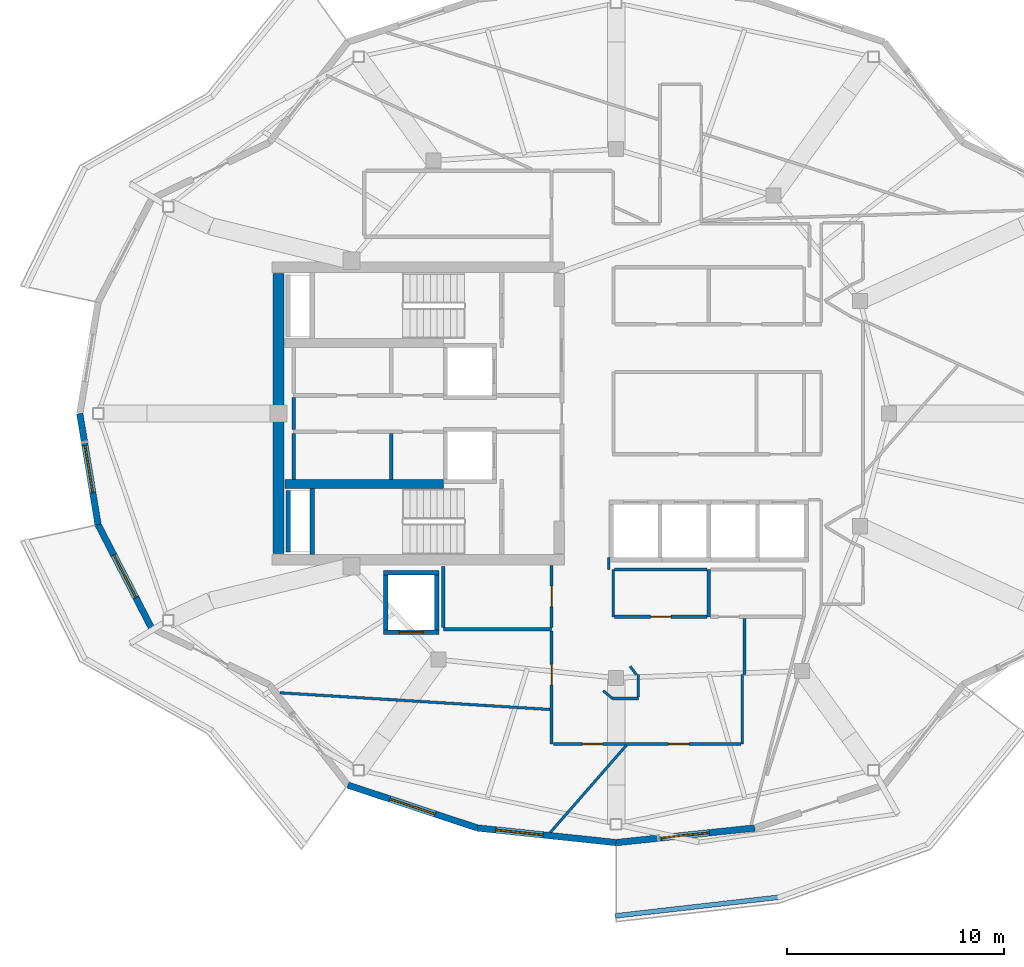
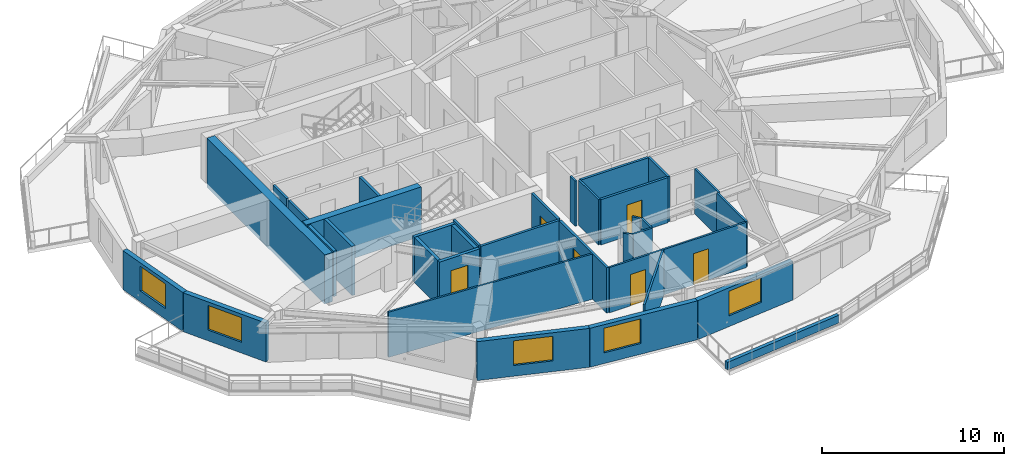
# One storey, part 3 of 11: 35 walls, 6 doors, 5 windows, 11 openings.
"""IFC4 building model written with IfcOpenShell, lengths in metres."""

from ifc_helpers import new_model, si_unit, direction, frame, frame_2d, origin, place, context, subcontext, project, spatial, rectangle, extrude, material, layer, layer_set, type_object, element, fill, save


model = new_model("IFC4")

# Units and contexts
model_context = context("Model", 3, precision=1e-05, world=origin(), true_north=direction((0.0, 1.0)))
body_context = subcontext(model_context, "Body", "Model", "MODEL_VIEW")
ifc_project = project(units=[si_unit("LENGTHUNIT", "METRE"), si_unit("AREAUNIT", "SQUARE_METRE"), si_unit("VOLUMEUNIT", "CUBIC_METRE"), si_unit("PLANEANGLEUNIT", "RADIAN"), si_unit("MASSUNIT", "GRAM", prefix="KILO")], contexts=[model_context])

# Site, building, storey
site_placement = place(None, origin())
site = spatial("IfcSite", under=ifc_project, at=site_placement, CompositionType="ELEMENT")
building_placement = place(site_placement, origin())
building = spatial("IfcBuilding", under=site, at=building_placement, Name="Kolvaren Gate Tower and Convention Centre", CompositionType="ELEMENT")
storey_placement = place(building_placement, frame((0.0, 0.0, 236.0)))
storey = spatial("IfcBuildingStorey", under=building, at=storey_placement, Name="L63", CompositionType="ELEMENT", Elevation=236.0)

# Walls
ifc_material_1 = material(Name="Autoclaved Aerated Masonry Blockwork Class 4 (4.0 MPa)", Category="masonry")
ifc_layer_1 = layer(ifc_material_1, 0.179931640625)
ifc_layer_set_1 = layer_set([ifc_layer_1], Name="Autoclaved Aerated Masonry Blockwork Class 4 (4.0 MPa)")
wall_type_1 = type_object("IfcWallType", Name="ARCH-WL-COMP-180", PredefinedType="SOLIDWALL", material=ifc_layer_set_1)
wall_1_placement = place(storey_placement, frame((19.75, 23.9619140625, 0.0), z_axis=(0.0, 0.0, 1.0), x_axis=(0.0, 1.0, 0.0)))
element("IfcWall", 1, at=wall_1_placement, inside=storey, type_object=wall_type_1, Name="Interior Partition WL-L63-INT-007", PredefinedType="SOLIDWALL", context=body_context, shape_type="SweptSolid", body=[
    extrude(rectangle(XDim=2.106201171875, YDim=0.179931640625, at=frame_2d((1.05322265625, 0.0))), origin(), (0.0, 0.0, 1.0), 3.030029296875),
])
ifc_material_2 = material(Name="Fire-Rated Acoustic Gypsum Stud Partition", Category="gypsum")
ifc_layer_2 = layer(ifc_material_2, 0.1201171875)
ifc_layer_set_2 = layer_set([ifc_layer_2], Name="Fire-Rated Acoustic Gypsum Stud Partition")
wall_type_2 = type_object("IfcWallType", Name="ARCH-WL-PART-120", PredefinedType="PARTITIONING", material=ifc_layer_set_2)
wall_2_placement = place(storey_placement, frame((30.0, 17.6201171875, 0.0), z_axis=(0.0, 0.0, 1.0), x_axis=(0.0, 1.0, 0.0)))
element("IfcWall", 2, at=wall_2_placement, inside=storey, type_object=wall_type_2, Name="Interior Partition WL-L63-INT-014", PredefinedType="PARTITIONING", context=body_context, shape_type="SweptSolid", body=[
    extrude(rectangle(XDim=2.179931640625, YDim=0.1201171875, at=frame_2d((1.08984375, 0.0))), origin(), (0.0, 0.0, 1.0), 3.030029296875),
])
wall_3_placement = place(storey_placement, frame((29.780029296875, 19.800048828125, 0.0), z_axis=(0.0, 0.0, 1.0), x_axis=(0.0, 1.0, 0.0)))
element("IfcWall", 3, at=wall_3_placement, inside=storey, type_object=wall_type_2, Name="Interior Partition WL-L63-INT-055", PredefinedType="PARTITIONING", context=body_context, shape_type="SweptSolid", body=[
    extrude(rectangle(XDim=0.56005859375, YDim=0.1201171875, at=frame_2d((0.280029296875, 0.0))), origin(), (0.0, 0.0, 1.0), 3.030029296875),
])
wall_4_placement = place(storey_placement, frame((36.050048828125, 14.949951171875, 0.0), z_axis=(0.0, 0.0, 1.0), x_axis=(0.0, 1.0, 0.0)))
element("IfcWall", 4, at=wall_4_placement, inside=storey, type_object=wall_type_2, Name="Interior Partition WL-L63-INT-056", PredefinedType="PARTITIONING", context=body_context, shape_type="SweptSolid", body=[
    extrude(rectangle(XDim=2.593017578125, YDim=0.1201171875, at=frame_2d((1.29638671875, 0.0))), origin(), (0.0, 0.0, 1.0), 3.030029296875),
])
wall_5_placement = place(storey_placement, frame((35.949951171875, 11.75, 0.0), z_axis=(0.0, 0.0, 1.0), x_axis=(0.0, 1.0, 0.0)))
element("IfcWall", 5, at=wall_5_placement, inside=storey, type_object=wall_type_2, Name="Interior Partition WL-L63-INT-057", PredefinedType="PARTITIONING", context=body_context, shape_type="SweptSolid", body=[
    extrude(rectangle(XDim=3.199951171875, YDim=0.1201171875, at=frame_2d((1.60009765625, 0.0))), origin(), (0.0, 0.0, 1.0), 3.030029296875),
])

# Wall, openings, doors
wall_6_placement = place(storey_placement, frame((27.22705078125, 11.75, 0.0), z_axis=(0.0, 0.0, 1.0), x_axis=(1.0, 0.0, 0.0)))
wall_6 = element("IfcWall", 6, at=wall_6_placement, inside=storey, type_object=wall_type_2, Name="Interior Partition WL-L63-INT-058", PredefinedType="PARTITIONING", context=body_context, shape_type="SweptSolid", body=[
    extrude(rectangle(XDim=8.660888671875, YDim=0.1201171875, at=frame_2d((4.33056640625, 0.0))), origin(), (0.0, 0.0, 1.0), 3.030029296875),
])
opening_1_placement = place(wall_6_placement, frame((1.341796875, 0.0, 0.0)))
opening_1 = element("IfcOpeningElement", 7, at=opening_1_placement, cuts=wall_6, Name="Opening DR-01", PredefinedType="OPENING", context=body_context, shape_type="SweptSolid", body=[
    extrude(rectangle(XDim=0.949951171875, YDim=2.10009765625, at=frame_2d((0.47509765625, 1.050048828125))), frame((0.0, 0.070068359375, 0.0), z_axis=(0.0, -1.0, 0.0), x_axis=(1.0, 0.0, 0.0)), (0.0, 0.0, 1.0), 0.14013671875),
])
opening_2_placement = place(wall_6_placement, frame((5.32373046875, 0.0, 0.0)))
opening_2 = element("IfcOpeningElement", 8, at=opening_2_placement, cuts=wall_6, Name="Opening DR-01", PredefinedType="OPENING", context=body_context, shape_type="SweptSolid", body=[
    extrude(rectangle(XDim=0.949951171875, YDim=2.10009765625, at=frame_2d((0.47509765625, 1.050048828125))), frame((0.0, 0.070068359375, 0.0), z_axis=(0.0, -1.0, 0.0), x_axis=(1.0, 0.0, 0.0)), (0.0, 0.0, 1.0), 0.14013671875),
])
ifc_material_3 = material(Name="Painted Architectural Steelwork ASTM A500 Grade C 345 MPa", Category="steel")
door_type_1 = type_object("IfcDoorType", Name="ARCH-DR-RISER-950", OperationType="SINGLE_SWING_RIGHT", PredefinedType="DOOR", material=ifc_material_3)
door_1_placement = place(opening_1_placement, origin())
door_1 = element("IfcDoor", 9, at=door_1_placement, inside=storey, type_object=door_type_1, Name="Resident Quiet Study Office Door", OperationType="SINGLE_SWING_LEFT", OverallHeight=2.10009765625, OverallWidth=0.949951171875, PredefinedType="DOOR", context=body_context, shape_type="SweptSolid", body=[
    extrude(rectangle(XDim=0.949951171875, YDim=2.10009765625, at=frame_2d((0.47509765625, 1.050048828125))), frame((0.0, 0.02490234375, 0.0), z_axis=(0.0, -1.0, 0.0), x_axis=(1.0, 0.0, 0.0)), (0.0, 0.0, 1.0), 0.050048828125),
])
fill(opening_1, door_1)
door_2_placement = place(opening_2_placement, origin())
door_2 = element("IfcDoor", 10, at=door_2_placement, inside=storey, type_object=door_type_1, Name="Resident Gourmet Market Boutique Door", OperationType="SINGLE_SWING_RIGHT", OverallHeight=2.10009765625, OverallWidth=0.949951171875, PredefinedType="DOOR", context=body_context, shape_type="SweptSolid", body=[
    extrude(rectangle(XDim=0.949951171875, YDim=2.10009765625, at=frame_2d((0.47509765625, 1.050048828125))), frame((0.0, 0.02490234375, 0.0), z_axis=(0.0, -1.0, 0.0), x_axis=(1.0, 0.0, 0.0)), (0.0, 0.0, 1.0), 0.050048828125),
])
fill(opening_2, door_2)

# Walls
wall_7_placement = place(storey_placement, frame((29.9599609375, 13.85009765625, 0.0), z_axis=(0.0, 0.0, 1.0), x_axis=(1.0, 0.0, 0.0)))
element("IfcWall", 11, at=wall_7_placement, inside=storey, type_object=wall_type_2, Name="Interior Partition WL-L63-INT-059", PredefinedType="PARTITIONING", context=body_context, shape_type="SweptSolid", body=[
    extrude(rectangle(XDim=1.18994140625, YDim=0.1201171875, at=frame_2d((0.594970703125, 0.0))), origin(), (0.0, 0.0, 1.0), 3.030029296875),
])
wall_8_placement = place(storey_placement, frame((31.14990234375, 13.912109375, 0.0), z_axis=(0.0, 0.0, 1.0), x_axis=(0.0, 1.0, 0.0)))
element("IfcWall", 12, at=wall_8_placement, inside=storey, type_object=wall_type_2, Name="Interior Partition WL-L63-INT-060", PredefinedType="PARTITIONING", context=body_context, shape_type="SweptSolid", body=[
    extrude(rectangle(XDim=1.037841796875, YDim=0.1201171875, at=frame_2d((0.51904296875, 0.0))), origin(), (0.0, 0.0, 1.0), 3.030029296875),
])
wall_9_placement = place(storey_placement, frame((30.77392578125, 15.3330078125, 0.0), z_axis=(0.0, 0.0, 1.0), x_axis=(0.595814974861, -0.803121731577, 0.0)))
element("IfcWall", 13, at=wall_9_placement, inside=storey, type_object=wall_type_2, Name="Interior Partition WL-L63-INT-061", PredefinedType="PARTITIONING", context=body_context, shape_type="SweptSolid", body=[
    extrude(rectangle(XDim=0.47705078125, YDim=0.1201171875, at=frame_2d((0.238525390625, 0.0))), origin(), (0.0, 0.0, 1.0), 3.030029296875),
])
wall_10_placement = place(storey_placement, frame((29.531005859375, 14.2060546875, 0.0), z_axis=(0.0, 0.0, 1.0), x_axis=(0.7695479554, -0.638589026166, 0.0)))
element("IfcWall", 14, at=wall_10_placement, inside=storey, type_object=wall_type_2, Name="Interior Partition WL-L63-INT-062", PredefinedType="PARTITIONING", context=body_context, shape_type="SweptSolid", body=[
    extrude(rectangle(XDim=0.557373046875, YDim=0.1201171875, at=frame_2d((0.27880859375, 0.0))), origin(), (0.0, 0.0, 1.0), 3.030029296875),
])
wall_11_placement = place(storey_placement, frame((14.60693359375, 14.114013671875, 0.0), z_axis=(0.0, 0.0, 1.0), x_axis=(0.998091702445, -0.061749117487, 0.0)))
element("IfcWall", 15, at=wall_11_placement, inside=storey, type_object=wall_type_2, Name="Interior Partition WL-L63-INT-067", PredefinedType="PARTITIONING", context=body_context, shape_type="SweptSolid", body=[
    extrude(rectangle(XDim=12.489990234375, YDim=0.1201171875, at=frame_2d((6.2451171875, 0.0))), origin(), (0.0, 0.0, 1.0), 3.030029296875),
])
wall_12_placement = place(storey_placement, frame((27.0927734375, 7.672119140625, 0.0), z_axis=(0.0, 0.0, 1.0), x_axis=(0.657573480864, 0.753390414901, 0.0)))
element("IfcWall", 16, at=wall_12_placement, inside=storey, type_object=wall_type_2, Name="Interior Partition WL-L63-INT-068", PredefinedType="PARTITIONING", context=body_context, shape_type="SweptSolid", body=[
    extrude(rectangle(XDim=5.330322265625, YDim=0.1201171875, at=frame_2d((2.6650390625, 0.0))), origin(), (0.0, 0.0, 1.0), 3.030029296875),
])
ifc_material_4 = material(Name="Piedmont Cream Honed Limestone Cladding", Category="masonry")
ifc_layer_3 = layer(ifc_material_4, 0.219970703125)
ifc_layer_set_3 = layer_set([ifc_layer_3], Name="Piedmont Cream Honed Limestone Cladding")
wall_type_3 = type_object("IfcWallType", Name="ARCH-WL-PLANTER-220", PredefinedType="PARAPET", material=ifc_layer_set_3)
wall_13_placement = place(storey_placement, frame((30.07958984375, 3.81640625, 0.0), z_axis=(0.0, 0.0, 1.0), x_axis=(0.993546198781, 0.113428175021, 0.0)))
element("IfcWall", 17, at=wall_13_placement, inside=storey, type_object=wall_type_3, Name="Vertical-Forest Balcony Stone Planter Kerb PK-L63-3.1", PredefinedType="PARAPET", context=body_context, shape_type="SweptSolid", body=[
    extrude(rectangle(XDim=7.6171875, YDim=0.219970703125, at=frame_2d((3.80859375, 0.0))), origin(), (0.0, 0.0, 1.0), 0.52001953125),
])
ifc_layer_4 = layer(ifc_material_1, 0.199951171875)
ifc_layer_set_4 = layer_set([ifc_layer_4], Name="Autoclaved Aerated Masonry Blockwork Class 4 (4.0 MPa)")
wall_type_4 = type_object("IfcWallType", Name="ARCH-WL-SHAFT-200", PredefinedType="SOLIDWALL", material=ifc_layer_set_4)
wall_14_placement = place(storey_placement, frame((19.39990234375, 19.64990234375, 0.0), z_axis=(0.0, 0.0, 1.0), x_axis=(1.0, 0.0, 0.0)))
element("IfcWall", 18, at=wall_14_placement, inside=storey, type_object=wall_type_4, Name="Elevator SV-01 L63 Fire Shaft Wall N", PredefinedType="SOLIDWALL", context=body_context, shape_type="SweptSolid", body=[
    extrude(rectangle(XDim=2.550048828125, YDim=0.199951171875, at=frame_2d((1.27490234375, 0.0))), origin(), (0.0, 0.0, 1.0), 3.030029296875),
])

# Wall, opening, door
wall_15_placement = place(storey_placement, frame((19.39990234375, 16.89990234375, 0.0), z_axis=(0.0, 0.0, 1.0), x_axis=(1.0, 0.0, 0.0)))
wall_15 = element("IfcWall", 19, at=wall_15_placement, inside=storey, type_object=wall_type_4, Name="Elevator SV-01 L63 Fire Shaft Wall S", PredefinedType="SOLIDWALL", context=body_context, shape_type="SweptSolid", body=[
    extrude(rectangle(XDim=2.550048828125, YDim=0.199951171875, at=frame_2d((1.27490234375, 0.0))), origin(), (0.0, 0.0, 1.0), 3.030029296875),
])
opening_3_placement = place(wall_15_placement, frame((0.72509765625, 0.0, 0.0)))
opening_3 = element("IfcOpeningElement", 20, at=opening_3_placement, cuts=wall_15, Name="Opening LD", PredefinedType="OPENING", context=body_context, shape_type="SweptSolid", body=[
    extrude(rectangle(XDim=1.10009765625, YDim=2.199951171875, at=frame_2d((0.550048828125, 1.10009765625))), frame((0.0, 0.10986328125, 0.0), z_axis=(0.0, -1.0, 0.0), x_axis=(1.0, 0.0, 0.0)), (0.0, 0.0, 1.0), 0.219970703125),
])
ifc_material_5 = material(Name="Brushed Stainless Steel Grade 316L", Category="steel")
door_type_2 = type_object("IfcDoorType", Name="ARCH-DR-LIFT-1100", OperationType="SLIDING_TO_LEFT", PredefinedType="DOOR", material=ifc_material_5)
door_3_placement = place(opening_3_placement, origin())
door_3 = element("IfcDoor", 21, at=door_3_placement, inside=storey, type_object=door_type_2, Name="Elevator SV-01 L63 Sliding Landing Door", OperationType="SLIDING_TO_LEFT", OverallHeight=2.199951171875, OverallWidth=1.10009765625, PredefinedType="DOOR", context=body_context, shape_type="SweptSolid", body=[
    extrude(rectangle(XDim=1.10009765625, YDim=2.199951171875, at=frame_2d((0.550048828125, 1.10009765625))), frame((0.0, 0.02490234375, 0.0), z_axis=(0.0, -1.0, 0.0), x_axis=(1.0, 0.0, 0.0)), (0.0, 0.0, 1.0), 0.050048828125),
])
fill(opening_3, door_3)

# Walls
for number, where, z_axis, x_axis, name in (
    (22, (19.5, 17.010009765625, 0.0), (0.0, 0.0, 1.0), (0.0, 1.0, 0.0), "Elevator SV-01 L63 Fire Shaft Wall W"),
    (23, (21.85009765625, 17.010009765625, 0.0), (0.0, 0.0, 1.0), (0.0, 1.0, 0.0), "Elevator SV-01 L63 Fire Shaft Wall E"),
):
    element("IfcWall", number, at=place(storey_placement, frame(where, z_axis=z_axis, x_axis=x_axis)), inside=storey, type_object=wall_type_4, Name=name, PredefinedType="SOLIDWALL", context=body_context, shape_type="SweptSolid", body=[
        extrude(rectangle(XDim=2.530029296875, YDim=0.199951171875, at=frame_2d((1.26513671875, 0.0))), origin(), (0.0, 0.0, 1.0), 3.030029296875),
    ])
wall_16_placement = place(storey_placement, frame((14.989990234375, 20.60009765625, 0.0), z_axis=(0.0, 0.0, 1.0), x_axis=(0.0, 1.0, 0.0)))
element("IfcWall", 24, at=wall_16_placement, inside=storey, type_object=wall_type_4, Name="Vertical Shaft MPR L63 EI-120 Enclosure Wall W", PredefinedType="SOLIDWALL", context=body_context, shape_type="SweptSolid", body=[
    extrude(rectangle(XDim=2.849853515625, YDim=0.199951171875, at=frame_2d((1.4248046875, 0.0))), origin(), (0.0, 0.0, 1.0), 3.030029296875),
])

# Wall, opening, window
ifc_layer_5 = layer(ifc_material_4, 0.300048828125)
ifc_layer_set_5 = layer_set([ifc_layer_5], Name="Piedmont Cream Honed Limestone Cladding")
wall_type_5 = type_object("IfcWallType", Name="ARCH-WL-STONE-300", PredefinedType="SOLIDWALL", material=ifc_layer_set_5)
wall_17_placement = place(storey_placement, frame((5.375, 27.0, 0.0), z_axis=(0.0, 0.0, 1.0), x_axis=(0.16237087798, -0.986729799886, 0.0)))
wall_17 = element("IfcWall", 25, at=wall_17_placement, inside=storey, type_object=wall_type_5, Name="Tower L63 Honed Stone Spandrel Wall EW-12", PredefinedType="SOLIDWALL", context=body_context, shape_type="SweptSolid", body=[
    extrude(rectangle(XDim=5.193359375, YDim=0.300048828125, at=frame_2d((2.5966796875, 0.0))), origin(), (0.0, 0.0, 1.0), 2.60498046875),
])
opening_4_placement = place(wall_17_placement, frame((1.4970703125, 0.0, 0.719970703125)))
opening_4 = element("IfcOpeningElement", 26, at=opening_4_placement, cuts=wall_17, Name="Opening W-03", PredefinedType="OPENING", context=body_context, shape_type="SweptSolid", body=[
    extrude(rectangle(XDim=2.199951171875, YDim=1.64990234375, at=frame_2d((1.10009765625, 0.824951171875))), frame((0.0, 0.159912109375, 0.0), z_axis=(0.0, -1.0, 0.0), x_axis=(1.0, 0.0, 0.0)), (0.0, 0.0, 1.0), 0.320068359375),
])
ifc_material_6 = material(Name="Low-E Triple Insulated Glazing Unit 44 mm", Category="glass")
window_type = type_object("IfcWindowType", Name="ARCH-WN-RES-2200", PartitioningType="SINGLE_PANEL", PredefinedType="WINDOW", material=ifc_material_6)
window_1_placement = place(opening_4_placement, origin())
window_1 = element("IfcWindow", 27, at=window_1_placement, inside=storey, type_object=window_type, Name="Tower L63 Punched Stone Facade Window W-12", OverallHeight=1.64990234375, OverallWidth=2.199951171875, PartitioningType="SINGLE_PANEL", PredefinedType="WINDOW", context=body_context, shape_type="SweptSolid", body=[
    extrude(rectangle(XDim=2.199951171875, YDim=1.64990234375, at=frame_2d((1.10009765625, 0.824951171875))), frame((0.0, 0.030029296875, 0.0), z_axis=(0.0, -1.0, 0.0), x_axis=(1.0, 0.0, 0.0)), (0.0, 0.0, 1.0), 0.06005859375),
])
fill(opening_4, window_1)

wall_18_placement = place(storey_placement, frame((6.21826171875, 21.87548828125, 0.0), z_axis=(0.0, 0.0, 1.0), x_axis=(0.459808219482, -0.888018243786, 0.0)))
wall_18 = element("IfcWall", 28, at=wall_18_placement, inside=storey, type_object=wall_type_5, Name="Tower L63 Honed Stone Spandrel Wall EW-13", PredefinedType="SOLIDWALL", context=body_context, shape_type="SweptSolid", body=[
    extrude(rectangle(XDim=5.377685546875, YDim=0.300048828125, at=frame_2d((2.68896484375, 0.0))), origin(), (0.0, 0.0, 1.0), 2.60498046875),
])
opening_5_placement = place(wall_18_placement, frame((1.589111328125, 0.0, 0.719970703125)))
opening_5 = element("IfcOpeningElement", 29, at=opening_5_placement, cuts=wall_18, Name="Opening W-03", PredefinedType="OPENING", context=body_context, shape_type="SweptSolid", body=[
    extrude(rectangle(XDim=2.199951171875, YDim=1.64990234375, at=frame_2d((1.10009765625, 0.824951171875))), frame((0.0, 0.159912109375, 0.0), z_axis=(0.0, -1.0, 0.0), x_axis=(1.0, 0.0, 0.0)), (0.0, 0.0, 1.0), 0.320068359375),
])
window_2_placement = place(opening_5_placement, origin())
window_2 = element("IfcWindow", 30, at=window_2_placement, inside=storey, type_object=window_type, Name="Tower L63 Punched Stone Facade Window W-13", OverallHeight=1.64990234375, OverallWidth=2.199951171875, PartitioningType="SINGLE_PANEL", PredefinedType="WINDOW", context=body_context, shape_type="SweptSolid", body=[
    extrude(rectangle(XDim=2.199951171875, YDim=1.64990234375, at=frame_2d((1.10009765625, 0.824951171875))), frame((0.0, 0.030029296875, 0.0), z_axis=(0.0, -1.0, 0.0), x_axis=(1.0, 0.0, 0.0)), (0.0, 0.0, 1.0), 0.06005859375),
])
fill(opening_5, window_2)

wall_19_placement = place(storey_placement, frame((17.75, 9.852783203125, 0.0), z_axis=(0.0, 0.0, 1.0), x_axis=(0.949240877604, -0.314550085495, 0.0)))
wall_19 = element("IfcWall", 31, at=wall_19_placement, inside=storey, type_object=wall_type_5, Name="Tower L63 Honed Stone Spandrel Wall EW-16", PredefinedType="SOLIDWALL", context=body_context, shape_type="SweptSolid", body=[
    extrude(rectangle(XDim=6.288330078125, YDim=0.300048828125, at=frame_2d((3.14404296875, 0.0))), origin(), (0.0, 0.0, 1.0), 2.60498046875),
])
opening_6_placement = place(wall_19_placement, frame((2.0439453125, 0.0, 0.719970703125)))
opening_6 = element("IfcOpeningElement", 32, at=opening_6_placement, cuts=wall_19, Name="Opening W-03", PredefinedType="OPENING", context=body_context, shape_type="SweptSolid", body=[
    extrude(rectangle(XDim=2.199951171875, YDim=1.64990234375, at=frame_2d((1.10009765625, 0.824951171875))), frame((0.0, 0.159912109375, 0.0), z_axis=(0.0, -1.0, 0.0), x_axis=(1.0, 0.0, 0.0)), (0.0, 0.0, 1.0), 0.320068359375),
])
window_3_placement = place(opening_6_placement, origin())
window_3 = element("IfcWindow", 33, at=window_3_placement, inside=storey, type_object=window_type, Name="Tower L63 Punched Stone Facade Window W-16", OverallHeight=1.64990234375, OverallWidth=2.199951171875, PartitioningType="SINGLE_PANEL", PredefinedType="WINDOW", context=body_context, shape_type="SweptSolid", body=[
    extrude(rectangle(XDim=2.199951171875, YDim=1.64990234375, at=frame_2d((1.10009765625, 0.824951171875))), frame((0.0, 0.030029296875, 0.0), z_axis=(0.0, -1.0, 0.0), x_axis=(1.0, 0.0, 0.0)), (0.0, 0.0, 1.0), 0.06005859375),
])
fill(opening_6, window_3)

wall_20_placement = place(storey_placement, frame((23.71923828125, 7.874755859375, 0.0), z_axis=(0.0, 0.0, 1.0), x_axis=(0.994497142298, -0.104763705363, 0.0)))
wall_20 = element("IfcWall", 34, at=wall_20_placement, inside=storey, type_object=wall_type_5, Name="Tower L63 Honed Stone Spandrel Wall EW-17", PredefinedType="SOLIDWALL", context=body_context, shape_type="SweptSolid", body=[
    extrude(rectangle(XDim=6.441162109375, YDim=0.300048828125, at=frame_2d((3.220703125, 0.0))), origin(), (0.0, 0.0, 1.0), 2.60498046875),
])
opening_7_placement = place(wall_20_placement, frame((0.85009765625, 0.0, 0.719970703125)))
opening_7 = element("IfcOpeningElement", 35, at=opening_7_placement, cuts=wall_20, Name="Opening W-03", PredefinedType="OPENING", context=body_context, shape_type="SweptSolid", body=[
    extrude(rectangle(XDim=2.199951171875, YDim=1.64990234375, at=frame_2d((1.10009765625, 0.824951171875))), frame((0.0, 0.159912109375, 0.0), z_axis=(0.0, -1.0, 0.0), x_axis=(1.0, 0.0, 0.0)), (0.0, 0.0, 1.0), 0.320068359375),
])
window_4_placement = place(opening_7_placement, origin())
window_4 = element("IfcWindow", 36, at=window_4_placement, inside=storey, type_object=window_type, Name="Tower L63 Punched Stone Facade Window W-17", OverallHeight=1.64990234375, OverallWidth=2.199951171875, PartitioningType="SINGLE_PANEL", PredefinedType="WINDOW", context=body_context, shape_type="SweptSolid", body=[
    extrude(rectangle(XDim=2.199951171875, YDim=1.64990234375, at=frame_2d((1.10009765625, 0.824951171875))), frame((0.0, 0.030029296875, 0.0), z_axis=(0.0, -1.0, 0.0), x_axis=(1.0, 0.0, 0.0)), (0.0, 0.0, 1.0), 0.06005859375),
])
fill(opening_7, window_4)

wall_21_placement = place(storey_placement, frame((30.125, 7.199951171875, 0.0), z_axis=(0.0, 0.0, 1.0), x_axis=(0.994497142298, 0.104763705363, 0.0)))
wall_21 = element("IfcWall", 37, at=wall_21_placement, inside=storey, type_object=wall_type_5, Name="Tower L63 Honed Stone Spandrel Wall EW-18", PredefinedType="SOLIDWALL", context=body_context, shape_type="SweptSolid", body=[
    extrude(rectangle(XDim=6.441162109375, YDim=0.300048828125, at=frame_2d((3.220703125, 0.0))), origin(), (0.0, 0.0, 1.0), 2.60498046875),
])
opening_8_placement = place(wall_21_placement, frame((2.12109375, 0.0, 0.719970703125)))
opening_8 = element("IfcOpeningElement", 38, at=opening_8_placement, cuts=wall_21, Name="Opening W-03", PredefinedType="OPENING", context=body_context, shape_type="SweptSolid", body=[
    extrude(rectangle(XDim=2.199951171875, YDim=1.64990234375, at=frame_2d((1.10009765625, 0.824951171875))), frame((0.0, 0.159912109375, 0.0), z_axis=(0.0, -1.0, 0.0), x_axis=(1.0, 0.0, 0.0)), (0.0, 0.0, 1.0), 0.320068359375),
])
window_5_placement = place(opening_8_placement, origin())
window_5 = element("IfcWindow", 39, at=window_5_placement, inside=storey, type_object=window_type, Name="Tower L63 Punched Stone Facade Window W-18", OverallHeight=1.64990234375, OverallWidth=2.199951171875, PartitioningType="SINGLE_PANEL", PredefinedType="WINDOW", context=body_context, shape_type="SweptSolid", body=[
    extrude(rectangle(XDim=2.199951171875, YDim=1.64990234375, at=frame_2d((1.10009765625, 0.824951171875))), frame((0.0, 0.030029296875, 0.0), z_axis=(0.0, -1.0, 0.0), x_axis=(1.0, 0.0, 0.0)), (0.0, 0.0, 1.0), 0.06005859375),
])
fill(opening_8, window_5)

# Walls
ifc_material_7 = material(Name="Moisture-Resistant Cement-Board Acoustic Partition", Category="gypsum")
ifc_layer_6 = layer(ifc_material_7, 0.14990234375)
ifc_layer_set_6 = layer_set([ifc_layer_6], Name="Moisture-Resistant Cement-Board Acoustic Partition")
wall_type_6 = type_object("IfcWallType", Name="ARCH-WL-WET-150", PredefinedType="PARTITIONING", material=ifc_layer_set_6)
wall_22_placement = place(storey_placement, frame((15.25, 23.9619140625, 0.0), z_axis=(0.0, 0.0, 1.0), x_axis=(0.0, 1.0, 0.0)))
element("IfcWall", 40, at=wall_22_placement, inside=storey, type_object=wall_type_6, Name="Interior Partition WL-L63-INT-006", PredefinedType="PARTITIONING", context=body_context, shape_type="SweptSolid", body=[
    extrude(rectangle(XDim=2.106201171875, YDim=0.14990234375, at=frame_2d((1.05322265625, 0.0))), origin(), (0.0, 0.0, 1.0), 3.030029296875),
])
wall_23_placement = place(storey_placement, frame((15.25, 26.251953125, 0.0), z_axis=(0.0, 0.0, 1.0), x_axis=(0.0, 1.0, 0.0)))
element("IfcWall", 41, at=wall_23_placement, inside=storey, type_object=wall_type_6, Name="Interior Partition WL-L63-INT-006 (2)", PredefinedType="PARTITIONING", context=body_context, shape_type="SweptSolid", body=[
    extrude(rectangle(XDim=1.49609375, YDim=0.14990234375, at=frame_2d((0.748046875, 0.0))), origin(), (0.0, 0.0, 1.0), 3.030029296875),
])
wall_24_placement = place(storey_placement, frame((22.14990234375, 17.050048828125, 0.0), z_axis=(0.0, 0.0, 1.0), x_axis=(1.0, 0.0, 0.0)))
element("IfcWall", 42, at=wall_24_placement, inside=storey, type_object=wall_type_6, Name="Interior Partition WL-L63-INT-009", PredefinedType="PARTITIONING", context=body_context, shape_type="SweptSolid", body=[
    extrude(rectangle(XDim=5.0, YDim=0.14990234375, at=frame_2d((2.5, 0.0))), origin(), (0.0, 0.0, 1.0), 3.030029296875),
])
wall_25_placement = place(storey_placement, frame((22.14990234375, 17.126953125, 0.0), z_axis=(0.0, 0.0, 1.0), x_axis=(0.0, 1.0, 0.0)))
element("IfcWall", 43, at=wall_25_placement, inside=storey, type_object=wall_type_6, Name="Interior Partition WL-L63-INT-010", PredefinedType="PARTITIONING", context=body_context, shape_type="SweptSolid", body=[
    extrude(rectangle(XDim=2.822998046875, YDim=0.14990234375, at=frame_2d((1.41162109375, 0.0))), origin(), (0.0, 0.0, 1.0), 3.030029296875),
])

# Wall, opening, door
wall_26_placement = place(storey_placement, frame((27.14990234375, 11.75, 0.0), z_axis=(0.0, 0.0, 1.0), x_axis=(0.0, 1.0, 0.0)))
wall_26 = element("IfcWall", 44, at=wall_26_placement, inside=storey, type_object=wall_type_6, Name="Interior Partition WL-L63-INT-011", PredefinedType="PARTITIONING", context=body_context, shape_type="SweptSolid", body=[
    extrude(rectangle(XDim=5.222900390625, YDim=0.14990234375, at=frame_2d((2.611328125, 0.0))), origin(), (0.0, 0.0, 1.0), 3.030029296875),
])
opening_9_placement = place(wall_26_placement, frame((2.725341796875, 0.0, 0.0)))
opening_9 = element("IfcOpeningElement", 45, at=opening_9_placement, cuts=wall_26, Name="Opening DR-01", PredefinedType="OPENING", context=body_context, shape_type="SweptSolid", body=[
    extrude(rectangle(XDim=0.949951171875, YDim=2.10009765625, at=frame_2d((0.47509765625, 1.050048828125))), frame((0.0, 0.0849609375, 0.0), z_axis=(0.0, -1.0, 0.0), x_axis=(1.0, 0.0, 0.0)), (0.0, 0.0, 1.0), 0.169921875),
])
door_4_placement = place(opening_9_placement, origin())
door_4 = element("IfcDoor", 46, at=door_4_placement, inside=storey, type_object=door_type_1, Name="Resident Private Study and Home Office Door", OperationType="SINGLE_SWING_RIGHT", OverallHeight=2.10009765625, OverallWidth=0.949951171875, PredefinedType="DOOR", context=body_context, shape_type="SweptSolid", body=[
    extrude(rectangle(XDim=0.949951171875, YDim=2.10009765625, at=frame_2d((0.47509765625, 1.050048828125))), frame((0.0, 0.02490234375, 0.0), z_axis=(0.0, -1.0, 0.0), x_axis=(1.0, 0.0, 0.0)), (0.0, 0.0, 1.0), 0.050048828125),
])
fill(opening_9, door_4)

wall_27_placement = place(storey_placement, frame((27.14990234375, 17.126953125, 0.0), z_axis=(0.0, 0.0, 1.0), x_axis=(0.0, 1.0, 0.0)))
wall_27 = element("IfcWall", 47, at=wall_27_placement, inside=storey, type_object=wall_type_6, Name="Interior Partition WL-L63-INT-011 (2)", PredefinedType="PARTITIONING", context=body_context, shape_type="SweptSolid", body=[
    extrude(rectangle(XDim=2.87109375, YDim=0.14990234375, at=frame_2d((1.435546875, 0.0))), origin(), (0.0, 0.0, 1.0), 3.030029296875),
])
opening_10_placement = place(wall_27_placement, frame((0.96044921875, 0.0, 0.0)))
opening_10 = element("IfcOpeningElement", 48, at=opening_10_placement, cuts=wall_27, Name="Opening DR-01", PredefinedType="OPENING", context=body_context, shape_type="SweptSolid", body=[
    extrude(rectangle(XDim=0.949951171875, YDim=2.10009765625, at=frame_2d((0.47509765625, 1.050048828125))), frame((0.0, 0.0849609375, 0.0), z_axis=(0.0, -1.0, 0.0), x_axis=(1.0, 0.0, 0.0)), (0.0, 0.0, 1.0), 0.169921875),
])
door_5_placement = place(opening_10_placement, origin())
door_5 = element("IfcDoor", 49, at=door_5_placement, inside=storey, type_object=door_type_1, Name="West Linen and Supply Store Door", OperationType="SINGLE_SWING_RIGHT", OverallHeight=2.10009765625, OverallWidth=0.949951171875, PredefinedType="DOOR", context=body_context, shape_type="SweptSolid", body=[
    extrude(rectangle(XDim=0.949951171875, YDim=2.10009765625, at=frame_2d((0.47509765625, 1.050048828125))), frame((0.0, 0.02490234375, 0.0), z_axis=(0.0, -1.0, 0.0), x_axis=(1.0, 0.0, 0.0)), (0.0, 0.0, 1.0), 0.050048828125),
])
fill(opening_10, door_5)

# Wall
wall_28_placement = place(storey_placement, frame((34.39990234375, 17.6201171875, 0.0), z_axis=(0.0, 0.0, 1.0), x_axis=(0.0, 1.0, 0.0)))
element("IfcWall", 50, at=wall_28_placement, inside=storey, type_object=wall_type_6, Name="Interior Partition WL-L63-INT-025", PredefinedType="PARTITIONING", context=body_context, shape_type="SweptSolid", body=[
    extrude(rectangle(XDim=2.179931640625, YDim=0.14990234375, at=frame_2d((1.08984375, 0.0))), origin(), (0.0, 0.0, 1.0), 3.030029296875),
])

# Wall, opening, door
wall_29_placement = place(storey_placement, frame((30.06201171875, 17.6201171875, 0.0), z_axis=(0.0, 0.0, 1.0), x_axis=(1.0, 0.0, 0.0)))
wall_29 = element("IfcWall", 51, at=wall_29_placement, inside=storey, type_object=wall_type_6, Name="Interior Partition WL-L63-INT-027", PredefinedType="PARTITIONING", context=body_context, shape_type="SweptSolid", body=[
    extrude(rectangle(XDim=4.260986328125, YDim=0.14990234375, at=frame_2d((2.13037109375, 0.0))), origin(), (0.0, 0.0, 1.0), 3.030029296875),
])
opening_11_placement = place(wall_29_placement, frame((1.655517578125, 0.0, 0.0)))
opening_11 = element("IfcOpeningElement", 52, at=opening_11_placement, cuts=wall_29, Name="Opening DR-01", PredefinedType="OPENING", context=body_context, shape_type="SweptSolid", body=[
    extrude(rectangle(XDim=0.949951171875, YDim=2.10009765625, at=frame_2d((0.47509765625, 1.050048828125))), frame((0.0, 0.0849609375, 0.0), z_axis=(0.0, -1.0, 0.0), x_axis=(1.0, 0.0, 0.0)), (0.0, 0.0, 1.0), 0.169921875),
])
door_6_placement = place(opening_11_placement, origin())
door_6 = element("IfcDoor", 53, at=door_6_placement, inside=storey, type_object=door_type_1, Name="Resident Wine Pantry Door", OperationType="SINGLE_SWING_LEFT", OverallHeight=2.10009765625, OverallWidth=0.949951171875, PredefinedType="DOOR", context=body_context, shape_type="SweptSolid", body=[
    extrude(rectangle(XDim=0.949951171875, YDim=2.10009765625, at=frame_2d((0.47509765625, 1.050048828125))), frame((0.0, 0.02490234375, 0.0), z_axis=(0.0, -1.0, 0.0), x_axis=(1.0, 0.0, 0.0)), (0.0, 0.0, 1.0), 0.050048828125),
])
fill(opening_11, door_6)

# Walls
wall_30_placement = place(storey_placement, frame((30.06201171875, 19.800048828125, 0.0), z_axis=(0.0, 0.0, 1.0), x_axis=(1.0, 0.0, 0.0)))
element("IfcWall", 54, at=wall_30_placement, inside=storey, type_object=wall_type_6, Name="Interior Partition WL-L63-INT-028", PredefinedType="PARTITIONING", context=body_context, shape_type="SweptSolid", body=[
    extrude(rectangle(XDim=4.260986328125, YDim=0.14990234375, at=frame_2d((2.13037109375, 0.0))), origin(), (0.0, 0.0, 1.0), 3.030029296875),
])
ifc_material_8 = material(Name="Concrete C50/60", Category="concrete")
ifc_layer_7 = layer(ifc_material_8, 0.419921875)
ifc_layer_set_7 = layer_set([ifc_layer_7], Name="Concrete C50/60")
wall_type_7 = type_object("IfcWallType", Name="STR-WL-CONV-420", PredefinedType="SHEAR", material=ifc_layer_set_7)
wall_31_placement = place(storey_placement, frame((14.85009765625, 23.75, -0.27001953125), z_axis=(0.0, 0.0, 1.0), x_axis=(1.0, 0.0, 0.0)))
element("IfcWall", 55, at=wall_31_placement, inside=storey, type_object=wall_type_7, Name="Tower L63 Offset Core Shear Wall WS", PredefinedType="SHEAR", context=body_context, shape_type="SweptSolid", body=[
    extrude(rectangle(XDim=7.2998046875, YDim=0.419921875, at=frame_2d((3.64990234375, 0.0))), origin(), (0.0, 0.0, 1.0), 3.300048828125),
])
ifc_layer_8 = layer(ifc_material_8, 0.5)
ifc_layer_set_8 = layer_set([ifc_layer_8], Name="Concrete C50/60")
wall_type_8 = type_object("IfcWallType", Name="STR-WL-CORE-500", PredefinedType="SHEAR", material=ifc_layer_set_8)
wall_32_placement = place(storey_placement, frame((14.550048828125, 20.550048828125, -0.27001953125), z_axis=(0.0, 0.0, 1.0), x_axis=(0.0, 1.0, 0.0)))
element("IfcWall", 56, at=wall_32_placement, inside=storey, type_object=wall_type_8, Name="Tower L63 Offset Core Shear Wall W", PredefinedType="SHEAR", context=body_context, shape_type="SweptSolid", body=[
    extrude(rectangle(XDim=12.89990234375, YDim=0.5, at=frame_2d((6.449951171875, 0.0))), origin(), (0.0, 0.0, 1.0), 3.300048828125),
])
ifc_layer_9 = layer(ifc_material_8, 0.199951171875)
ifc_layer_set_9 = layer_set([ifc_layer_9], Name="Concrete C50/60")
wall_type_9 = type_object("IfcWallType", Name="STR-WL-SHAFT-200", PredefinedType="SHEAR", material=ifc_layer_set_9)
wall_33_placement = place(storey_placement, frame((16.10009765625, 20.501953125, -0.27001953125), z_axis=(0.0, 0.0, 1.0), x_axis=(0.0, 1.0, 0.0)))
element("IfcWall", 57, at=wall_33_placement, inside=storey, type_object=wall_type_9, Name="Tower South Exit Stair ST-T2 L63 Structural Shear Enclosure Wall FAR", PredefinedType="SHEAR", context=body_context, shape_type="SweptSolid", body=[
    extrude(rectangle(XDim=3.0361328125, YDim=0.199951171875, at=frame_2d((1.51806640625, 0.0))), origin(), (0.0, 0.0, 1.0), 3.300048828125),
])

save(model, "model.ifc")
